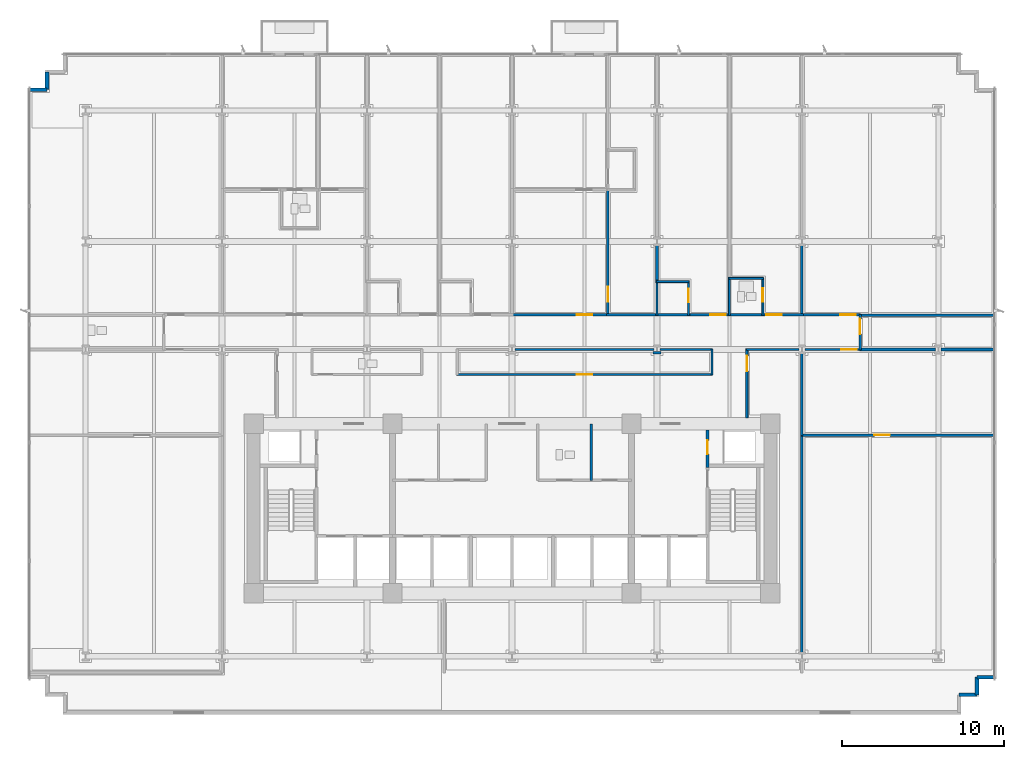
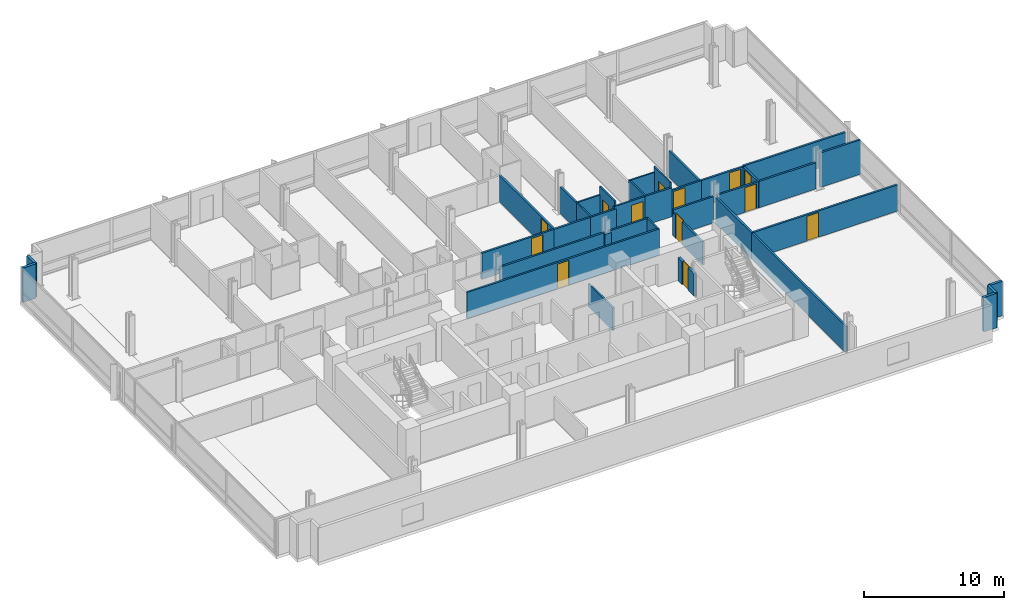
# One storey, part 10 of 15: 38 walls, 13 doors, 13 openings.
"""IFC4 building model written with IfcOpenShell, lengths in metres."""

from ifc_helpers import new_model, si_unit, direction, frame, frame_2d, origin, place, context, subcontext, project, spatial, rectangle, extrude, material, layer, layer_set, type_object, element, fill, save


model = new_model("IFC4")

# Units and contexts
model_context = context("Model", 3, precision=1e-05, world=origin(), true_north=direction((0.0, 1.0)))
body_context = subcontext(model_context, "Body", "Model", "MODEL_VIEW")
ifc_project = project(units=[si_unit("LENGTHUNIT", "METRE"), si_unit("AREAUNIT", "SQUARE_METRE"), si_unit("VOLUMEUNIT", "CUBIC_METRE"), si_unit("PLANEANGLEUNIT", "RADIAN"), si_unit("MASSUNIT", "GRAM", prefix="KILO")], contexts=[model_context])

# Site, building, storey
site_placement = place(None, origin())
site = spatial("IfcSite", under=ifc_project, at=site_placement, CompositionType="ELEMENT")
building_placement = place(site_placement, origin())
building = spatial("IfcBuilding", under=site, at=building_placement, Name="Solmavex Isthmus Hotel", CompositionType="ELEMENT")
storey_placement = place(building_placement, frame((0.0, 0.0, 71.25)))
storey = spatial("IfcBuildingStorey", under=building, at=storey_placement, Name="L19", CompositionType="ELEMENT", Elevation=71.25)

# Walls
ifc_material_1 = material(Name="Precast Concrete C40/50", Category="concrete")
ifc_layer_1 = layer(ifc_material_1, 0.25)
ifc_layer_set_1 = layer_set([ifc_layer_1], Name="Precast Concrete C40/50")
wall_type_1 = type_object("IfcWallType", Name="EW-TWR-250", PredefinedType="STANDARD", material=ifc_layer_set_1)
wall_1_placement = place(storey_placement, frame((-29.889892578125, 18.18994140625, 0.0), z_axis=(0.0, 0.0, 1.0), x_axis=(1.0, 0.0, 0.0)))
element("IfcWall", 1, at=wall_1_placement, inside=storey, type_object=wall_type_1, Name="Serrated Corner Facade Panel L19-06", PredefinedType="STANDARD", context=body_context, shape_type="SweptSolid", body=[
    extrude(rectangle(XDim=1.099853515625, YDim=0.219970703125, at=frame_2d((0.5498046875, 0.0))), origin(), (0.0, 0.0, 1.0), 3.0),
])
wall_2_placement = place(storey_placement, frame((-28.7900390625, 18.18994140625, 0.0), z_axis=(0.0, 0.0, 1.0), x_axis=(0.0, 1.0, 0.0)))
element("IfcWall", 2, at=wall_2_placement, inside=storey, type_object=wall_type_1, Name="Serrated Corner Facade Panel L19-07", PredefinedType="STANDARD", context=body_context, shape_type="SweptSolid", body=[
    extrude(rectangle(XDim=1.10009765625, YDim=0.219970703125, at=frame_2d((0.550048828125, 0.0))), origin(), (0.0, 0.0, 1.0), 3.0),
])
wall_3_placement = place(storey_placement, frame((29.889892578125, -18.18994140625, 0.0), z_axis=(0.0, 0.0, 1.0), x_axis=(-1.0, 0.0, 0.0)))
element("IfcWall", 3, at=wall_3_placement, inside=storey, type_object=wall_type_1, Name="Serrated Corner Facade Panel L19-16", PredefinedType="STANDARD", context=body_context, shape_type="SweptSolid", body=[
    extrude(rectangle(XDim=1.099853515625, YDim=0.219970703125, at=frame_2d((0.5498046875, 0.0))), origin(), (0.0, 0.0, 1.0), 3.0),
])
for number, where, z_axis, x_axis, name in (
    (4, (28.7900390625, -18.18994140625, 0.0), (0.0, 0.0, 1.0), (0.0, -1.0, 0.0), "Serrated Corner Facade Panel L19-17"),
    (5, (28.7900390625, -19.2900390625, 0.0), (0.0, 0.0, 1.0), (-1.0, 0.0, 0.0), "Serrated Corner Facade Panel L19-18"),
):
    element("IfcWall", number, at=place(storey_placement, frame(where, z_axis=z_axis, x_axis=x_axis)), inside=storey, type_object=wall_type_1, Name=name, PredefinedType="STANDARD", context=body_context, shape_type="SweptSolid", body=[
        extrude(rectangle(XDim=1.10009765625, YDim=0.219970703125, at=frame_2d((0.550048828125, 0.0))), origin(), (0.0, 0.0, 1.0), 3.0),
    ])

# Wall, opening, door
ifc_material_2 = material(Name="Gypsum plasterboard lining", Category="gypsum")
ifc_layer_2 = layer(ifc_material_2, 0.159912109375)
ifc_layer_set_2 = layer_set([ifc_layer_2], Name="Gypsum plasterboard lining")
wall_type_2 = type_object("IfcWallType", Name="IW-COMP-160", PredefinedType="PARTITIONING", material=ifc_layer_set_2)
wall_4_placement = place(storey_placement, frame((5.93798828125, 12.028076171875, 0.0), z_axis=(0.0, 0.0, 1.0), x_axis=(0.0, -1.0, 0.0)))
wall_4 = element("IfcWall", 6, at=wall_4_placement, inside=storey, type_object=wall_type_2, Name="Interior Partition Wall W-L19-P064", PredefinedType="PARTITIONING", context=body_context, shape_type="SweptSolid", body=[
    extrude(rectangle(XDim=7.818115234375, YDim=0.159912109375, at=frame_2d((3.9091796875, 0.0))), origin(), (0.0, 0.0, 1.0), 2.28955078125),
])
opening_1_placement = place(wall_4_placement, frame((6.033935546875, 0.0, 0.0)))
opening_1 = element("IfcOpeningElement", 7, at=opening_1_placement, cuts=wall_4, Name="Opening ID-C095", PredefinedType="OPENING", context=body_context, shape_type="SweptSolid", body=[
    extrude(rectangle(XDim=0.949951171875, YDim=2.14990234375, at=frame_2d((0.47509765625, 1.074951171875))), frame((0.0, 0.08984375, 0.0), z_axis=(0.0, -1.0, 0.0), x_axis=(1.0, 0.0, 0.0)), (0.0, 0.0, 1.0), 0.179931640625),
])
ifc_material_3 = material(Name="Hardwood timber", Category="wood")
door_type_1 = type_object("IfcDoorType", Name="IDR-FD60-0950", OperationType="NOTDEFINED", PredefinedType="DOOR", material=ifc_material_3)
door_1_placement = place(opening_1_placement, frame((0.949951171875, 0.0, 0.0), z_axis=(0.0, 0.0, 1.0), x_axis=(-1.0, 0.0, 0.0)))
door_1 = element("IfcDoor", 8, at=door_1_placement, inside=storey, type_object=door_type_1, Name="Premier Suite Living Lounge Door L19-12", OperationType="SINGLE_SWING_RIGHT", OverallHeight=2.14990234375, OverallWidth=0.949951171875, PredefinedType="DOOR", context=body_context, shape_type="SweptSolid", body=[
    extrude(rectangle(XDim=0.949951171875, YDim=2.14990234375, at=frame_2d((0.47509765625, 1.074951171875))), frame((0.0, 0.02490234375, 0.0), z_axis=(0.0, -1.0, 0.0), x_axis=(1.0, 0.0, 0.0)), (0.0, 0.0, 1.0), 0.050048828125),
])
fill(opening_1, door_1)

# Walls
wall_5_placement = place(storey_placement, frame((8.97607421875, 8.613037109375, 0.0), z_axis=(0.0, 0.0, 1.0), x_axis=(0.0, -1.0, 0.0)))
element("IfcWall", 9, at=wall_5_placement, inside=storey, type_object=wall_type_2, Name="Interior Partition Wall W-L19-P070", PredefinedType="PARTITIONING", context=body_context, shape_type="SweptSolid", body=[
    extrude(rectangle(XDim=2.39501953125, YDim=0.159912109375, at=frame_2d((1.197509765625, 0.0))), origin(), (0.0, 0.0, 1.0), 2.28955078125),
])
wall_6_placement = place(storey_placement, frame((17.951904296875, 8.613037109375, 0.0), z_axis=(0.0, 0.0, 1.0), x_axis=(0.0, -1.0, 0.0)))
element("IfcWall", 10, at=wall_6_placement, inside=storey, type_object=wall_type_2, Name="Interior Partition Wall W-L19-P080", PredefinedType="PARTITIONING", context=body_context, shape_type="SweptSolid", body=[
    extrude(rectangle(XDim=4.403076171875, YDim=0.159912109375, at=frame_2d((2.20166015625, 0.0))), origin(), (0.0, 0.0, 1.0), 2.28955078125),
])
wall_7_placement = place(storey_placement, frame((29.919921875, 4.22998046875, 0.0), z_axis=(0.0, 0.0, 1.0), x_axis=(-1.0, 0.0, 0.0)))
element("IfcWall", 11, at=wall_7_placement, inside=storey, type_object=wall_type_2, Name="Interior Partition Wall W-L19-P083", PredefinedType="PARTITIONING", context=body_context, shape_type="SweptSolid", body=[
    extrude(rectangle(XDim=8.407958984375, YDim=0.159912109375, at=frame_2d((4.2041015625, 0.0))), origin(), (0.0, 0.0, 1.0), 2.36328125),
])
wall_8_placement = place(storey_placement, frame((26.22509765625, 2.10009765625, 0.0), z_axis=(0.0, 0.0, 1.0), x_axis=(-1.0, 0.0, 0.0)))
element("IfcWall", 12, at=wall_8_placement, inside=storey, type_object=wall_type_2, Name="Interior Partition Wall W-L19-P086", PredefinedType="PARTITIONING", context=body_context, shape_type="SweptSolid", body=[
    extrude(rectangle(XDim=4.713134765625, YDim=0.159912109375, at=frame_2d((2.3564453125, 0.0))), origin(), (0.0, 0.0, 1.0), 2.28955078125),
])
wall_9_placement = place(storey_placement, frame((29.919921875, 2.10009765625, 0.0), z_axis=(0.0, 0.0, 1.0), x_axis=(-1.0, 0.0, 0.0)))
element("IfcWall", 13, at=wall_9_placement, inside=storey, type_object=wall_type_2, Name="Interior Partition Wall W-L19-P087", PredefinedType="PARTITIONING", context=body_context, shape_type="SweptSolid", body=[
    extrude(rectangle(XDim=3.344970703125, YDim=0.159912109375, at=frame_2d((1.67236328125, 0.0))), origin(), (0.0, 0.0, 1.0), 3.0),
])
wall_10_placement = place(storey_placement, frame((17.951904296875, -3.239990234375, 0.0), z_axis=(0.0, 0.0, 1.0), x_axis=(0.0, 1.0, 0.0)))
element("IfcWall", 14, at=wall_10_placement, inside=storey, type_object=wall_type_2, Name="Interior Partition Wall W-L19-P090", PredefinedType="PARTITIONING", context=body_context, shape_type="SweptSolid", body=[
    extrude(rectangle(XDim=5.1650390625, YDim=0.159912109375, at=frame_2d((2.58251953125, 0.0))), origin(), (0.0, 0.0, 1.0), 2.28955078125),
])

# Wall, opening, door
wall_11_placement = place(storey_placement, frame((29.919921875, -3.199951171875, 0.0), z_axis=(0.0, 0.0, 1.0), x_axis=(-1.0, 0.0, 0.0)))
wall_11 = element("IfcWall", 15, at=wall_11_placement, inside=storey, type_object=wall_type_2, Name="Interior Partition Wall W-L19-P091", PredefinedType="PARTITIONING", context=body_context, shape_type="SweptSolid", body=[
    extrude(rectangle(XDim=12.0078125, YDim=0.159912109375, at=frame_2d((6.00390625, 0.0))), origin(), (0.0, 0.0, 1.0), 2.28955078125),
])
opening_2_placement = place(wall_11_placement, frame((6.531005859375, 0.0, 0.0)))
opening_2 = element("IfcOpeningElement", 16, at=opening_2_placement, cuts=wall_11, Name="Opening ID-C095", PredefinedType="OPENING", context=body_context, shape_type="SweptSolid", body=[
    extrude(rectangle(XDim=0.949951171875, YDim=2.14990234375, at=frame_2d((0.47509765625, 1.074951171875))), frame((0.0, 0.08984375, 0.0), z_axis=(0.0, -1.0, 0.0), x_axis=(1.0, 0.0, 0.0)), (0.0, 0.0, 1.0), 0.179931640625),
])
door_2_placement = place(opening_2_placement, origin())
door_2 = element("IfcDoor", 17, at=door_2_placement, inside=storey, type_object=door_type_1, Name="Corporate Briefing Office Door L19-28", OperationType="SINGLE_SWING_RIGHT", OverallHeight=2.14990234375, OverallWidth=0.949951171875, PredefinedType="DOOR", context=body_context, shape_type="SweptSolid", body=[
    extrude(rectangle(XDim=0.949951171875, YDim=2.14990234375, at=frame_2d((0.47509765625, 1.074951171875))), frame((0.0, 0.02490234375, 0.0), z_axis=(0.0, -1.0, 0.0), x_axis=(1.0, 0.0, 0.0)), (0.0, 0.0, 1.0), 0.050048828125),
])
fill(opening_2, door_2)

# Wall
wall_12_placement = place(storey_placement, frame((17.951904296875, -3.117919921875, 0.0), z_axis=(0.0, 0.0, 1.0), x_axis=(0.0, -1.0, 0.0)))
element("IfcWall", 18, at=wall_12_placement, inside=storey, type_object=wall_type_2, Name="Interior Partition Wall W-L19-P094", PredefinedType="PARTITIONING", context=body_context, shape_type="SweptSolid", body=[
    extrude(rectangle(XDim=13.607177734375, YDim=0.159912109375, at=frame_2d((6.8037109375, 0.0))), origin(), (0.0, 0.0, 1.0), 2.28955078125),
])

# Wall, opening, door
ifc_layer_3 = layer(ifc_material_2, 0.14990234375)
ifc_layer_set_3 = layer_set([ifc_layer_3], Name="Gypsum plasterboard lining")
wall_type_3 = type_object("IfcWallType", Name="IW-CORR-150", PredefinedType="PARTITIONING", material=ifc_layer_set_3)
wall_13_placement = place(storey_placement, frame((-0.08203125, 4.25, 0.0), z_axis=(0.0, 0.0, 1.0), x_axis=(1.0, 0.0, 0.0)))
wall_13 = element("IfcWall", 19, at=wall_13_placement, inside=storey, type_object=wall_type_3, Name="Interior Partition Wall W-L19-P007", PredefinedType="PARTITIONING", context=body_context, shape_type="SweptSolid", body=[
    extrude(rectangle(XDim=6.10205078125, YDim=0.14990234375, at=frame_2d((3.051025390625, 0.0))), origin(), (0.0, 0.0, 1.0), 2.28955078125),
])
opening_3_placement = place(wall_13_placement, frame((4.093505859375, 0.0, 0.0)))
opening_3 = element("IfcOpeningElement", 20, at=opening_3_placement, cuts=wall_13, Name="Opening ID-C095", PredefinedType="OPENING", context=body_context, shape_type="SweptSolid", body=[
    extrude(rectangle(XDim=0.949951171875, YDim=2.14990234375, at=frame_2d((0.47509765625, 1.074951171875))), frame((0.0, 0.0849609375, 0.0), z_axis=(0.0, -1.0, 0.0), x_axis=(1.0, 0.0, 0.0)), (0.0, 0.0, 1.0), 0.169921875),
])
door_3_placement = place(opening_3_placement, origin())
door_3 = element("IfcDoor", 21, at=door_3_placement, inside=storey, type_object=door_type_1, Name="Premier Suite Entrance Hall Door L19-10", OperationType="SINGLE_SWING_RIGHT", OverallHeight=2.14990234375, OverallWidth=0.949951171875, PredefinedType="DOOR", context=body_context, shape_type="SweptSolid", body=[
    extrude(rectangle(XDim=0.949951171875, YDim=2.14990234375, at=frame_2d((0.47509765625, 1.074951171875))), frame((0.0, 0.02490234375, 0.0), z_axis=(0.0, -1.0, 0.0), x_axis=(1.0, 0.0, 0.0)), (0.0, 0.0, 1.0), 0.050048828125),
])
fill(opening_3, door_3)

# Wall
wall_14_placement = place(storey_placement, frame((5.85595703125, 4.25, 0.0), z_axis=(0.0, 0.0, 1.0), x_axis=(1.0, 0.0, 0.0)))
element("IfcWall", 22, at=wall_14_placement, inside=storey, type_object=wall_type_3, Name="Interior Partition Wall W-L19-P008", PredefinedType="PARTITIONING", context=body_context, shape_type="SweptSolid", body=[
    extrude(rectangle(XDim=3.2021484375, YDim=0.14990234375, at=frame_2d((1.60107421875, 0.0))), origin(), (0.0, 0.0, 1.0), 2.28955078125),
])

# Wall, opening, door
wall_15_placement = place(storey_placement, frame((10.843994140625, 4.25, 0.0), z_axis=(0.0, 0.0, 1.0), x_axis=(1.0, 0.0, 0.0)))
wall_15 = element("IfcWall", 23, at=wall_15_placement, inside=storey, type_object=wall_type_3, Name="Interior Partition Wall W-L19-P009", PredefinedType="PARTITIONING", context=body_context, shape_type="SweptSolid", body=[
    extrude(rectangle(XDim=2.701904296875, YDim=0.14990234375, at=frame_2d((1.35107421875, 0.0))), origin(), (0.0, 0.0, 1.0), 2.528076171875),
])
opening_4_placement = place(wall_15_placement, frame((1.426513671875, 0.0, 0.0)))
opening_4 = element("IfcOpeningElement", 24, at=opening_4_placement, cuts=wall_15, Name="Opening ID-C095", PredefinedType="OPENING", context=body_context, shape_type="SweptSolid", body=[
    extrude(rectangle(XDim=0.949951171875, YDim=2.14990234375, at=frame_2d((0.47509765625, 1.074951171875))), frame((0.0, 0.0849609375, 0.0), z_axis=(0.0, -1.0, 0.0), x_axis=(1.0, 0.0, 0.0)), (0.0, 0.0, 1.0), 0.169921875),
])
door_4_placement = place(opening_4_placement, origin())
door_4 = element("IfcDoor", 25, at=door_4_placement, inside=storey, type_object=door_type_1, Name="Club Guest Room Door L19-14", OperationType="SINGLE_SWING_RIGHT", OverallHeight=2.14990234375, OverallWidth=0.949951171875, PredefinedType="DOOR", context=body_context, shape_type="SweptSolid", body=[
    extrude(rectangle(XDim=0.949951171875, YDim=2.14990234375, at=frame_2d((0.47509765625, 1.074951171875))), frame((0.0, 0.02490234375, 0.0), z_axis=(0.0, -1.0, 0.0), x_axis=(1.0, 0.0, 0.0)), (0.0, 0.0, 1.0), 0.050048828125),
])
fill(opening_4, door_4)

# Wall
wall_16_placement = place(storey_placement, frame((8.89404296875, 4.25, 0.0), z_axis=(0.0, 0.0, 1.0), x_axis=(1.0, 0.0, 0.0)))
element("IfcWall", 26, at=wall_16_placement, inside=storey, type_object=wall_type_3, Name="Interior Partition Wall W-L19-P010", PredefinedType="PARTITIONING", context=body_context, shape_type="SweptSolid", body=[
    extrude(rectangle(XDim=2.114013671875, YDim=0.14990234375, at=frame_2d((1.05712890625, 0.0))), origin(), (0.0, 0.0, 1.0), 2.28955078125),
])

# Wall, opening, door
wall_17_placement = place(storey_placement, frame((15.446533203125, 4.25, 0.0), z_axis=(0.0, 0.0, 1.0), x_axis=(1.0, 0.0, 0.0)))
wall_17 = element("IfcWall", 27, at=wall_17_placement, inside=storey, type_object=wall_type_3, Name="Interior Partition Wall W-L19-P011", PredefinedType="PARTITIONING", context=body_context, shape_type="SweptSolid", body=[
    extrude(rectangle(XDim=2.58740234375, YDim=0.14990234375, at=frame_2d((1.293701171875, 0.0))), origin(), (0.0, 0.0, 1.0), 2.28955078125),
])
opening_5_placement = place(wall_17_placement, frame((0.292236328125, 0.0, 0.0)))
opening_5 = element("IfcOpeningElement", 28, at=opening_5_placement, cuts=wall_17, Name="Opening ID-C095", PredefinedType="OPENING", context=body_context, shape_type="SweptSolid", body=[
    extrude(rectangle(XDim=0.949951171875, YDim=2.14990234375, at=frame_2d((0.47509765625, 1.074951171875))), frame((0.0, 0.0849609375, 0.0), z_axis=(0.0, -1.0, 0.0), x_axis=(1.0, 0.0, 0.0)), (0.0, 0.0, 1.0), 0.169921875),
])
door_5_placement = place(opening_5_placement, origin())
door_5 = element("IfcDoor", 29, at=door_5_placement, inside=storey, type_object=door_type_1, Name="Superior King Room Door L19-16", OperationType="SINGLE_SWING_RIGHT", OverallHeight=2.14990234375, OverallWidth=0.949951171875, PredefinedType="DOOR", context=body_context, shape_type="SweptSolid", body=[
    extrude(rectangle(XDim=0.949951171875, YDim=2.14990234375, at=frame_2d((0.47509765625, 1.074951171875))), frame((0.0, 0.02490234375, 0.0), z_axis=(0.0, -1.0, 0.0), x_axis=(1.0, 0.0, 0.0)), (0.0, 0.0, 1.0), 0.050048828125),
])
fill(opening_5, door_5)

# Wall
wall_18_placement = place(storey_placement, frame((13.382080078125, 4.25, 0.0), z_axis=(0.0, 0.0, 1.0), x_axis=(1.0, 0.0, 0.0)))
element("IfcWall", 30, at=wall_18_placement, inside=storey, type_object=wall_type_3, Name="Interior Partition Wall W-L19-P012", PredefinedType="PARTITIONING", context=body_context, shape_type="SweptSolid", body=[
    extrude(rectangle(XDim=2.228515625, YDim=0.14990234375, at=frame_2d((1.1142578125, 0.0))), origin(), (0.0, 0.0, 1.0), 2.528076171875),
])

# Wall, opening, door
wall_19_placement = place(storey_placement, frame((17.8701171875, 4.25, 0.0), z_axis=(0.0, 0.0, 1.0), x_axis=(1.0, 0.0, 0.0)))
wall_19 = element("IfcWall", 31, at=wall_19_placement, inside=storey, type_object=wall_type_3, Name="Interior Partition Wall W-L19-P013", PredefinedType="PARTITIONING", context=body_context, shape_type="SweptSolid", body=[
    extrude(rectangle(XDim=3.721923828125, YDim=0.14990234375, at=frame_2d((1.86083984375, 0.0))), origin(), (0.0, 0.0, 1.0), 2.28955078125),
])
opening_6_placement = place(wall_19_placement, frame((2.456787109375, 0.0, 0.0)))
opening_6 = element("IfcOpeningElement", 32, at=opening_6_placement, cuts=wall_19, Name="Opening ID-C095", PredefinedType="OPENING", context=body_context, shape_type="SweptSolid", body=[
    extrude(rectangle(XDim=0.949951171875, YDim=2.14990234375, at=frame_2d((0.47509765625, 1.074951171875))), frame((0.0, 0.0849609375, 0.0), z_axis=(0.0, -1.0, 0.0), x_axis=(1.0, 0.0, 0.0)), (0.0, 0.0, 1.0), 0.169921875),
])
door_6_placement = place(opening_6_placement, origin())
door_6 = element("IfcDoor", 33, at=door_6_placement, inside=storey, type_object=door_type_1, Name="Corporate Briefing Office Door L19-18", OperationType="SINGLE_SWING_RIGHT", OverallHeight=2.14990234375, OverallWidth=0.949951171875, PredefinedType="DOOR", context=body_context, shape_type="SweptSolid", body=[
    extrude(rectangle(XDim=0.949951171875, YDim=2.14990234375, at=frame_2d((0.47509765625, 1.074951171875))), frame((0.0, 0.02490234375, 0.0), z_axis=(0.0, -1.0, 0.0), x_axis=(1.0, 0.0, 0.0)), (0.0, 0.0, 1.0), 0.050048828125),
])
fill(opening_6, door_6)

wall_20_placement = place(storey_placement, frame((21.552001953125, 4.27001953125, 0.0), z_axis=(0.0, 0.0, 1.0), x_axis=(0.0, -1.0, 0.0)))
wall_20 = element("IfcWall", 34, at=wall_20_placement, inside=storey, type_object=wall_type_3, Name="Interior Partition Wall W-L19-P021", PredefinedType="PARTITIONING", context=body_context, shape_type="SweptSolid", body=[
    extrude(rectangle(XDim=2.2099609375, YDim=0.14990234375, at=frame_2d((1.10498046875, 0.0))), origin(), (0.0, 0.0, 1.0), 2.28955078125),
])
opening_7_placement = place(wall_20_placement, frame((0.272216796875, 0.0, 0.0)))
opening_7 = element("IfcOpeningElement", 35, at=opening_7_placement, cuts=wall_20, Name="Opening ID-C095", PredefinedType="OPENING", context=body_context, shape_type="SweptSolid", body=[
    extrude(rectangle(XDim=0.949951171875, YDim=2.14990234375, at=frame_2d((0.47509765625, 1.074951171875))), frame((0.0, 0.0849609375, 0.0), z_axis=(0.0, -1.0, 0.0), x_axis=(1.0, 0.0, 0.0)), (0.0, 0.0, 1.0), 0.169921875),
])
door_7_placement = place(opening_7_placement, origin())
door_7 = element("IfcDoor", 36, at=door_7_placement, inside=storey, type_object=door_type_1, Name="Yoga Fitness Studio Door L19-21", OperationType="SINGLE_SWING_LEFT", OverallHeight=2.14990234375, OverallWidth=0.949951171875, PredefinedType="DOOR", context=body_context, shape_type="SweptSolid", body=[
    extrude(rectangle(XDim=0.949951171875, YDim=2.14990234375, at=frame_2d((0.47509765625, 1.074951171875))), frame((0.0, 0.02490234375, 0.0), z_axis=(0.0, -1.0, 0.0), x_axis=(1.0, 0.0, 0.0)), (0.0, 0.0, 1.0), 0.050048828125),
])
fill(opening_7, door_7)

# Wall
wall_21_placement = place(storey_placement, frame((8.801025390625, 2.10009765625, 0.0), z_axis=(0.0, 0.0, 1.0), x_axis=(-1.0, 0.0, 0.0)))
element("IfcWall", 37, at=wall_21_placement, inside=storey, type_object=wall_type_3, Name="Interior Partition Wall W-L19-P022", PredefinedType="PARTITIONING", context=body_context, shape_type="SweptSolid", body=[
    extrude(rectangle(XDim=8.6259765625, YDim=0.14990234375, at=frame_2d((4.31298828125, 0.0))), origin(), (0.0, 0.0, 1.0), 2.28955078125),
])

# Wall, opening, door
wall_22_placement = place(storey_placement, frame((-3.427978515625, 0.550048828125, 0.0), z_axis=(0.0, 0.0, 1.0), x_axis=(1.0, 0.0, 0.0)))
wall_22 = element("IfcWall", 38, at=wall_22_placement, inside=storey, type_object=wall_type_3, Name="Interior Partition Wall W-L19-P026", PredefinedType="PARTITIONING", context=body_context, shape_type="SweptSolid", body=[
    extrude(rectangle(XDim=15.85205078125, YDim=0.14990234375, at=frame_2d((7.926025390625, 0.0))), origin(), (0.0, 0.0, 1.0), 2.28955078125),
])
opening_8_placement = place(wall_22_placement, frame((7.450927734375, 0.0, 0.0)))
opening_8 = element("IfcOpeningElement", 39, at=opening_8_placement, cuts=wall_22, Name="Opening ID-C095", PredefinedType="OPENING", context=body_context, shape_type="SweptSolid", body=[
    extrude(rectangle(XDim=0.949951171875, YDim=2.14990234375, at=frame_2d((0.47509765625, 1.074951171875))), frame((0.0, 0.0849609375, 0.0), z_axis=(0.0, -1.0, 0.0), x_axis=(1.0, 0.0, 0.0)), (0.0, 0.0, 1.0), 0.169921875),
])
door_8_placement = place(opening_8_placement, origin())
door_8 = element("IfcDoor", 40, at=door_8_placement, inside=storey, type_object=door_type_1, Name="Executive Boardroom Door L19-22", OperationType="SINGLE_SWING_RIGHT", OverallHeight=2.14990234375, OverallWidth=0.949951171875, PredefinedType="DOOR", context=body_context, shape_type="SweptSolid", body=[
    extrude(rectangle(XDim=0.949951171875, YDim=2.14990234375, at=frame_2d((0.47509765625, 1.074951171875))), frame((0.0, 0.02490234375, 0.0), z_axis=(0.0, -1.0, 0.0), x_axis=(1.0, 0.0, 0.0)), (0.0, 0.0, 1.0), 0.050048828125),
])
fill(opening_8, door_8)

# Walls
wall_23_placement = place(storey_placement, frame((12.384033203125, 0.510009765625, 0.0), z_axis=(0.0, 0.0, 1.0), x_axis=(0.0, 1.0, 0.0)))
element("IfcWall", 41, at=wall_23_placement, inside=storey, type_object=wall_type_3, Name="Interior Partition Wall W-L19-P027", PredefinedType="PARTITIONING", context=body_context, shape_type="SweptSolid", body=[
    extrude(rectangle(XDim=1.6298828125, YDim=0.14990234375, at=frame_2d((0.81494140625, 0.0))), origin(), (0.0, 0.0, 1.0), 2.28955078125),
])
wall_24_placement = place(storey_placement, frame((12.424072265625, 2.10009765625, 0.0), z_axis=(0.0, 0.0, 1.0), x_axis=(-1.0, 0.0, 0.0)))
element("IfcWall", 42, at=wall_24_placement, inside=storey, type_object=wall_type_3, Name="Interior Partition Wall W-L19-P028", PredefinedType="PARTITIONING", context=body_context, shape_type="SweptSolid", body=[
    extrude(rectangle(XDim=3.273193359375, YDim=0.14990234375, at=frame_2d((1.63671875, 0.0))), origin(), (0.0, 0.0, 1.0), 2.28955078125),
])
wall_25_placement = place(storey_placement, frame((9.23095703125, 1.885009765625, 0.0), z_axis=(0.0, 0.0, 1.0), x_axis=(-1.0, 0.0, 0.0)))
element("IfcWall", 43, at=wall_25_placement, inside=storey, type_object=wall_type_3, Name="Interior Partition Wall W-L19-P029", PredefinedType="PARTITIONING", context=body_context, shape_type="SweptSolid", body=[
    extrude(rectangle(XDim=0.510009765625, YDim=0.14990234375, at=frame_2d((0.2548828125, 0.0))), origin(), (0.0, 0.0, 1.0), 2.28955078125),
])

# Wall, opening, door
wall_26_placement = place(storey_placement, frame((21.592041015625, 2.10009765625, 0.0), z_axis=(0.0, 0.0, 1.0), x_axis=(-1.0, 0.0, 0.0)))
wall_26 = element("IfcWall", 44, at=wall_26_placement, inside=storey, type_object=wall_type_3, Name="Interior Partition Wall W-L19-P031", PredefinedType="PARTITIONING", context=body_context, shape_type="SweptSolid", body=[
    extrude(rectangle(XDim=3.465087890625, YDim=0.14990234375, at=frame_2d((1.732421875, 0.0))), origin(), (0.0, 0.0, 1.0), 2.28955078125),
])
opening_9_placement = place(wall_26_placement, frame((0.26220703125, 0.0, 0.0)))
opening_9 = element("IfcOpeningElement", 45, at=opening_9_placement, cuts=wall_26, Name="Opening ID-C095", PredefinedType="OPENING", context=body_context, shape_type="SweptSolid", body=[
    extrude(rectangle(XDim=0.949951171875, YDim=2.14990234375, at=frame_2d((0.47509765625, 1.074951171875))), frame((0.0, 0.0849609375, 0.0), z_axis=(0.0, -1.0, 0.0), x_axis=(1.0, 0.0, 0.0)), (0.0, 0.0, 1.0), 0.169921875),
])
door_9_placement = place(opening_9_placement, origin())
door_9 = element("IfcDoor", 46, at=door_9_placement, inside=storey, type_object=door_type_1, Name="Executive Boardroom Door L19-24", OperationType="SINGLE_SWING_RIGHT", OverallHeight=2.14990234375, OverallWidth=0.949951171875, PredefinedType="DOOR", context=body_context, shape_type="SweptSolid", body=[
    extrude(rectangle(XDim=0.949951171875, YDim=2.14990234375, at=frame_2d((0.47509765625, 1.074951171875))), frame((0.0, 0.02490234375, 0.0), z_axis=(0.0, -1.0, 0.0), x_axis=(1.0, 0.0, 0.0)), (0.0, 0.0, 1.0), 0.050048828125),
])
fill(opening_9, door_9)

# Wall
wall_27_placement = place(storey_placement, frame((17.777099609375, 2.10009765625, 0.0), z_axis=(0.0, 0.0, 1.0), x_axis=(-1.0, 0.0, 0.0)))
element("IfcWall", 47, at=wall_27_placement, inside=storey, type_object=wall_type_3, Name="Interior Partition Wall W-L19-P032", PredefinedType="PARTITIONING", context=body_context, shape_type="SweptSolid", body=[
    extrude(rectangle(XDim=3.273193359375, YDim=0.14990234375, at=frame_2d((1.63671875, 0.0))), origin(), (0.0, 0.0, 1.0), 2.28955078125),
])

# Wall, opening, door
wall_28_placement = place(storey_placement, frame((14.5439453125, 2.139892578125, 0.0), z_axis=(0.0, 0.0, 1.0), x_axis=(0.0, -1.0, 0.0)))
wall_28 = element("IfcWall", 48, at=wall_28_placement, inside=storey, type_object=wall_type_3, Name="Interior Partition Wall W-L19-P033", PredefinedType="PARTITIONING", context=body_context, shape_type="SweptSolid", body=[
    extrude(rectangle(XDim=4.27978515625, YDim=0.14990234375, at=frame_2d((2.139892578125, 0.0))), origin(), (0.0, 0.0, 1.0), 1.9951171875),
])
opening_10_placement = place(wall_28_placement, frame((0.43017578125, 0.0, 0.0)))
opening_10 = element("IfcOpeningElement", 49, at=opening_10_placement, cuts=wall_28, Name="Opening ID-C095", PredefinedType="OPENING", context=body_context, shape_type="SweptSolid", body=[
    extrude(rectangle(XDim=0.949951171875, YDim=2.14990234375, at=frame_2d((0.47509765625, 1.074951171875))), frame((0.0, 0.0849609375, 0.0), z_axis=(0.0, -1.0, 0.0), x_axis=(1.0, 0.0, 0.0)), (0.0, 0.0, 1.0), 0.169921875),
])
door_10_placement = place(opening_10_placement, frame((0.949951171875, 0.0, 0.0), z_axis=(0.0, 0.0, 1.0), x_axis=(-1.0, 0.0, 0.0)))
door_10 = element("IfcDoor", 50, at=door_10_placement, inside=storey, type_object=door_type_1, Name="Executive Hospitality Lounge Door L19-25", OperationType="SINGLE_SWING_LEFT", OverallHeight=2.14990234375, OverallWidth=0.949951171875, PredefinedType="DOOR", context=body_context, shape_type="SweptSolid", body=[
    extrude(rectangle(XDim=0.949951171875, YDim=2.14990234375, at=frame_2d((0.47509765625, 1.074951171875))), frame((0.0, 0.02490234375, 0.0), z_axis=(0.0, -1.0, 0.0), x_axis=(1.0, 0.0, 0.0)), (0.0, 0.0, 1.0), 0.050048828125),
])
fill(opening_10, door_10)

# Walls
ifc_layer_4 = layer(ifc_material_2, 0.1201171875)
ifc_layer_set_4 = layer_set([ifc_layer_4], Name="Gypsum plasterboard lining")
wall_type_4 = type_object("IfcWallType", Name="IW-PART-120", PredefinedType="PARTITIONING", material=ifc_layer_set_4)
wall_29_placement = place(storey_placement, frame((4.89990234375, -6.0, 0.0), z_axis=(0.0, 0.0, 1.0), x_axis=(0.0, 1.0, 0.0)))
element("IfcWall", 51, at=wall_29_placement, inside=storey, type_object=wall_type_4, Name="Interior Partition Wall W-L19-BOH-EM2", PredefinedType="PARTITIONING", context=body_context, shape_type="SweptSolid", body=[
    extrude(rectangle(XDim=3.5, YDim=0.14990234375, at=frame_2d((1.75, 0.0))), origin(), (0.0, 0.0, 1.0), 1.9951171875),
])
wall_30_placement = place(storey_placement, frame((8.97607421875, 6.382080078125, 0.0), z_axis=(0.0, 0.0, 1.0), x_axis=(0.0, -1.0, 0.0)))
element("IfcWall", 52, at=wall_30_placement, inside=storey, type_object=wall_type_4, Name="Interior Partition Wall W-L19-P073", PredefinedType="PARTITIONING", context=body_context, shape_type="SweptSolid", body=[
    extrude(rectangle(XDim=2.172119140625, YDim=0.1201171875, at=frame_2d((1.0859375, 0.0))), origin(), (0.0, 0.0, 1.0), 2.28955078125),
])

# Wall, opening, door
wall_31_placement = place(storey_placement, frame((10.926025390625, 4.2099609375, 0.0), z_axis=(0.0, 0.0, 1.0), x_axis=(0.0, 1.0, 0.0)))
wall_31 = element("IfcWall", 53, at=wall_31_placement, inside=storey, type_object=wall_type_4, Name="Interior Partition Wall W-L19-P074", PredefinedType="PARTITIONING", context=body_context, shape_type="SweptSolid", body=[
    extrude(rectangle(XDim=2.130126953125, YDim=0.1201171875, at=frame_2d((1.06494140625, 0.0))), origin(), (0.0, 0.0, 1.0), 3.0),
])
opening_11_placement = place(wall_31_placement, frame((0.812255859375, 0.0, 0.0)))
opening_11 = element("IfcOpeningElement", 54, at=opening_11_placement, cuts=wall_31, Name="Opening ID-U085", PredefinedType="OPENING", context=body_context, shape_type="SweptSolid", body=[
    extrude(rectangle(XDim=0.85009765625, YDim=2.10009765625, at=frame_2d((0.425048828125, 1.050048828125))), frame((0.0, 0.070068359375, 0.0), z_axis=(0.0, -1.0, 0.0), x_axis=(1.0, 0.0, 0.0)), (0.0, 0.0, 1.0), 0.14013671875),
])
door_type_2 = type_object("IfcDoorType", Name="IDR-UNR-0850", OperationType="NOTDEFINED", PredefinedType="DOOR", material=ifc_material_3)
door_11_placement = place(opening_11_placement, frame((0.85009765625, 0.0, 0.0), z_axis=(0.0, 0.0, 1.0), x_axis=(-1.0, 0.0, 0.0)))
door_11 = element("IfcDoor", 55, at=door_11_placement, inside=storey, type_object=door_type_2, Name="En-suite Bathroom Door L19-15", OperationType="SINGLE_SWING_LEFT", OverallHeight=2.10009765625, OverallWidth=0.85009765625, PredefinedType="DOOR", context=body_context, shape_type="SweptSolid", body=[
    extrude(rectangle(XDim=0.85009765625, YDim=2.10009765625, at=frame_2d((0.425048828125, 1.050048828125))), frame((0.0, 0.02490234375, 0.0), z_axis=(0.0, -1.0, 0.0), x_axis=(1.0, 0.0, 0.0)), (0.0, 0.0, 1.0), 0.050048828125),
])
fill(opening_11, door_11)

# Walls
wall_32_placement = place(storey_placement, frame((10.966064453125, 6.300048828125, 0.0), z_axis=(0.0, 0.0, 1.0), x_axis=(-1.0, 0.0, 0.0)))
element("IfcWall", 56, at=wall_32_placement, inside=storey, type_object=wall_type_4, Name="Interior Partition Wall W-L19-P075", PredefinedType="PARTITIONING", context=body_context, shape_type="SweptSolid", body=[
    extrude(rectangle(XDim=2.030029296875, YDim=0.1201171875, at=frame_2d((1.01513671875, 0.0))), origin(), (0.0, 0.0, 1.0), 2.28955078125),
])
wall_33_placement = place(storey_placement, frame((13.464111328125, 6.58203125, 0.0), z_axis=(0.0, 0.0, 1.0), x_axis=(0.0, -1.0, 0.0)))
element("IfcWall", 57, at=wall_33_placement, inside=storey, type_object=wall_type_4, Name="Interior Partition Wall W-L19-P077", PredefinedType="PARTITIONING", context=body_context, shape_type="SweptSolid", body=[
    extrude(rectangle(XDim=2.3720703125, YDim=0.1201171875, at=frame_2d((1.18603515625, 0.0))), origin(), (0.0, 0.0, 1.0), 2.528076171875),
])

# Wall, opening, door
wall_34_placement = place(storey_placement, frame((15.528564453125, 4.2099609375, 0.0), z_axis=(0.0, 0.0, 1.0), x_axis=(0.0, 1.0, 0.0)))
wall_34 = element("IfcWall", 58, at=wall_34_placement, inside=storey, type_object=wall_type_4, Name="Interior Partition Wall W-L19-P078", PredefinedType="PARTITIONING", context=body_context, shape_type="SweptSolid", body=[
    extrude(rectangle(XDim=2.330078125, YDim=0.1201171875, at=frame_2d((1.1650390625, 0.0))), origin(), (0.0, 0.0, 1.0), 3.0),
])
opening_12_placement = place(wall_34_placement, frame((0.83447265625, 0.0, 0.0)))
opening_12 = element("IfcOpeningElement", 59, at=opening_12_placement, cuts=wall_34, Name="Opening ID-U085", PredefinedType="OPENING", context=body_context, shape_type="SweptSolid", body=[
    extrude(rectangle(XDim=0.85009765625, YDim=2.10009765625, at=frame_2d((0.425048828125, 1.050048828125))), frame((0.0, 0.070068359375, 0.0), z_axis=(0.0, -1.0, 0.0), x_axis=(1.0, 0.0, 0.0)), (0.0, 0.0, 1.0), 0.14013671875),
])
door_12_placement = place(opening_12_placement, origin())
door_12 = element("IfcDoor", 60, at=door_12_placement, inside=storey, type_object=door_type_2, Name="En-suite Bathroom Door L19-17", OperationType="SINGLE_SWING_LEFT", OverallHeight=2.10009765625, OverallWidth=0.85009765625, PredefinedType="DOOR", context=body_context, shape_type="SweptSolid", body=[
    extrude(rectangle(XDim=0.85009765625, YDim=2.10009765625, at=frame_2d((0.425048828125, 1.050048828125))), frame((0.0, 0.02490234375, 0.0), z_axis=(0.0, -1.0, 0.0), x_axis=(1.0, 0.0, 0.0)), (0.0, 0.0, 1.0), 0.050048828125),
])
fill(opening_12, door_12)

# Wall
wall_35_placement = place(storey_placement, frame((15.568359375, 6.5, 0.0), z_axis=(0.0, 0.0, 1.0), x_axis=(-1.0, 0.0, 0.0)))
element("IfcWall", 61, at=wall_35_placement, inside=storey, type_object=wall_type_4, Name="Interior Partition Wall W-L19-P079", PredefinedType="PARTITIONING", context=body_context, shape_type="SweptSolid", body=[
    extrude(rectangle(XDim=2.144287109375, YDim=0.1201171875, at=frame_2d((1.072265625, 0.0))), origin(), (0.0, 0.0, 1.0), 2.528076171875),
])

# Wall, opening, door
ifc_material_4 = material(Name="Concrete C40/50", Category="concrete")
ifc_layer_5 = layer(ifc_material_4, 0.199951171875)
ifc_layer_set_5 = layer_set([ifc_layer_5], Name="Concrete C40/50")
wall_type_5 = type_object("IfcWallType", Name="IW-SHAFT-200", PredefinedType="PARTITIONING", material=ifc_layer_set_5)
wall_36_placement = place(storey_placement, frame((12.10009765625, -5.199951171875, 0.0), z_axis=(0.0, 0.0, 1.0), x_axis=(0.0, 1.0, 0.0)))
wall_36 = element("IfcWall", 62, at=wall_36_placement, inside=storey, type_object=wall_type_5, Name="Interior Partition Wall W-L19-RSE-W", PredefinedType="PARTITIONING", context=body_context, shape_type="SweptSolid", body=[
    extrude(rectangle(XDim=2.300048828125, YDim=0.199951171875, at=frame_2d((1.14990234375, 0.0))), origin(), (0.0, 0.0, 1.0), 1.9951171875),
])
opening_13_placement = place(wall_36_placement, frame((0.824951171875, 0.0, 0.0)))
opening_13 = element("IfcOpeningElement", 63, at=opening_13_placement, cuts=wall_36, Name="Opening ID-R085", PredefinedType="OPENING", context=body_context, shape_type="SweptSolid", body=[
    extrude(rectangle(XDim=0.85009765625, YDim=2.050048828125, at=frame_2d((0.425048828125, 1.02490234375))), frame((0.0, 0.10986328125, 0.0), z_axis=(0.0, -1.0, 0.0), x_axis=(1.0, 0.0, 0.0)), (0.0, 0.0, 1.0), 0.219970703125),
])
ifc_material_5 = material(Name="Steel ASTM A500 Grade C", Category="steel")
door_type_3 = type_object("IfcDoorType", Name="IDR-FD60-0850", OperationType="NOTDEFINED", PredefinedType="DOOR", material=ifc_material_5)
door_13_placement = place(opening_13_placement, frame((0.85009765625, 0.0, 0.0), z_axis=(0.0, 0.0, 1.0), x_axis=(-1.0, 0.0, 0.0)))
door_13 = element("IfcDoor", 64, at=door_13_placement, inside=storey, type_object=door_type_3, Name="Mechanical Riser Door L19", OperationType="SINGLE_SWING_LEFT", OverallHeight=2.050048828125, OverallWidth=0.85009765625, PredefinedType="DOOR", context=body_context, shape_type="SweptSolid", body=[
    extrude(rectangle(XDim=0.85009765625, YDim=2.050048828125, at=frame_2d((0.425048828125, 1.02490234375))), frame((0.0, 0.02490234375, 0.0), z_axis=(0.0, -1.0, 0.0), x_axis=(1.0, 0.0, 0.0)), (0.0, 0.0, 1.0), 0.050048828125),
])
fill(opening_13, door_13)

save(model, "model.ifc")
